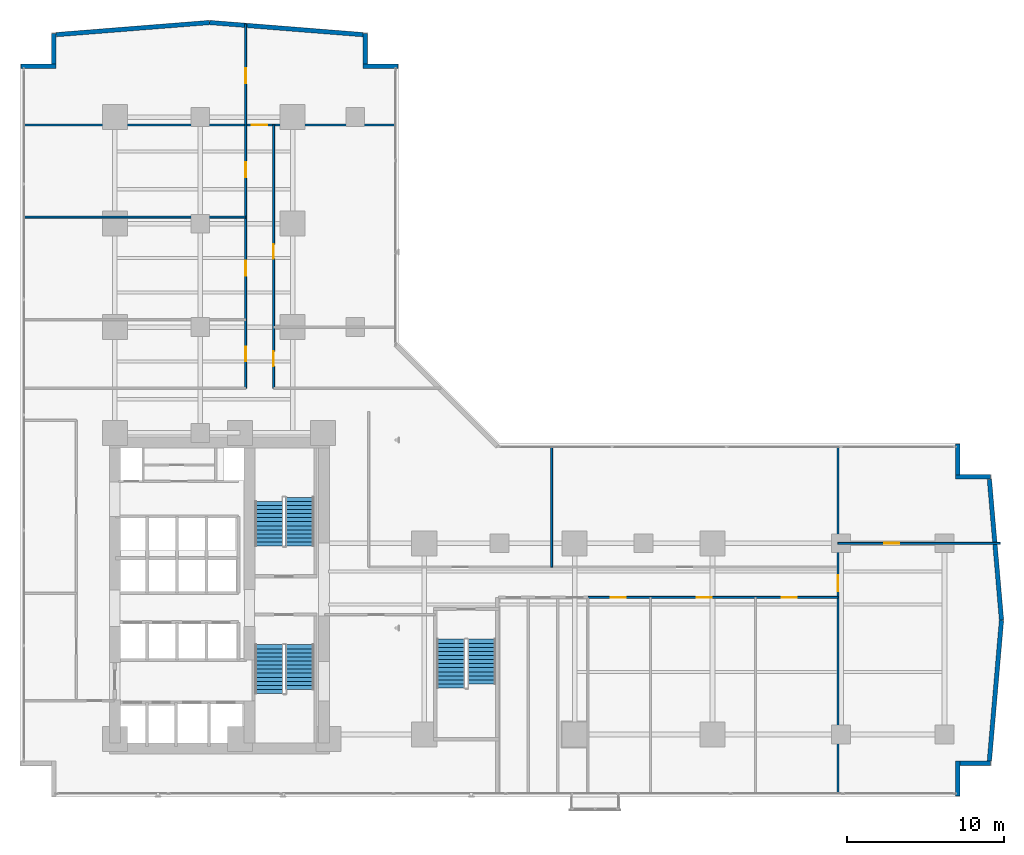
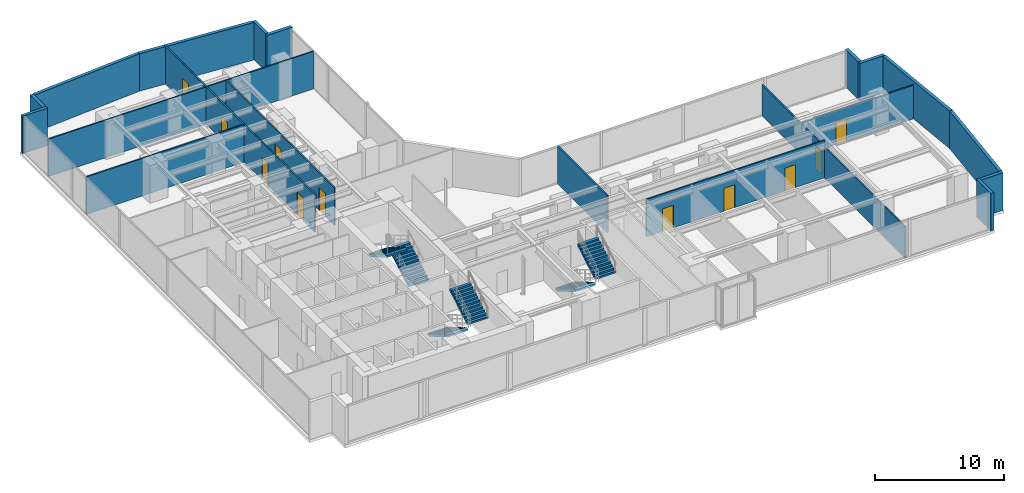
# One storey, part 24 of 28: 21 walls, 12 doors, 6 stair flights, 12 openings, 3 elements without a shape of their own.
"""IFC4 building model written with IfcOpenShell, lengths in metres."""

from ifc_helpers import new_model, si_unit, direction, frame, frame_2d, origin, place, context, subcontext, project, spatial, polyline, rectangle, outline, extrude, material, layer, layer_set, type_object, element, fill, aggregate, save


model = new_model("IFC4")

# Units and contexts
model_context = context("Model", 3, precision=1e-05, world=origin(), true_north=direction((0.0, 1.0)))
body_context = subcontext(model_context, "Body", "Model", "MODEL_VIEW")
ifc_project = project(units=[si_unit("LENGTHUNIT", "METRE"), si_unit("AREAUNIT", "SQUARE_METRE"), si_unit("VOLUMEUNIT", "CUBIC_METRE"), si_unit("PLANEANGLEUNIT", "RADIAN"), si_unit("MASSUNIT", "GRAM", prefix="KILO")], contexts=[model_context])

# Site, building, storey
site_placement = place(None, origin())
site = spatial("IfcSite", under=ifc_project, at=site_placement, CompositionType="ELEMENT")
building_placement = place(site_placement, origin())
building = spatial("IfcBuilding", under=site, at=building_placement, Name="Kolvaren Waterfront Exchange", CompositionType="ELEMENT")
storey_placement = place(building_placement, frame((0.0, 0.0, 56.199951171875)))
storey = spatial("IfcBuildingStorey", under=building, at=storey_placement, Name="L14", CompositionType="ELEMENT", Elevation=56.199951171875)

# Walls
ifc_material_1 = material(Name="Precast concrete C40/50", Category="concrete")
ifc_layer_1 = layer(ifc_material_1, 0.280029296875, Name="Precast concrete C40/50")
ifc_layer_set_1 = layer_set([ifc_layer_1], Name="Precast concrete C40/50")
wall_type_1 = type_object("IfcWallType", Name="ARC-EXT-TERR-280", PredefinedType="SOLIDWALL", material=ifc_layer_set_1)
wall_1_placement = place(storey_placement, frame((61.239990234375, 1.260009765625, 0.0), z_axis=(0.0, 0.0, 1.0), x_axis=(0.0, 1.0, 0.0)))
element("IfcWall", 1, at=wall_1_placement, inside=storey, type_object=wall_type_1, Name="L14 notched corner spandrel pier SE-A", PredefinedType="SOLIDWALL", context=body_context, shape_type="SweptSolid", body=[
    extrude(rectangle(XDim=2.239990234375, YDim=0.280029296875, at=frame_2d((1.1201171875, 0.0))), origin(), (0.0, 0.0, 1.0), 3.5400390625),
])
wall_2_placement = place(storey_placement, frame((61.3798828125, 3.360107421875, 0.0), z_axis=(0.0, 0.0, 1.0), x_axis=(1.0, 0.0, 0.0)))
element("IfcWall", 2, at=wall_2_placement, inside=storey, type_object=wall_type_1, Name="L14 notched corner spandrel pier SE-B", PredefinedType="SOLIDWALL", context=body_context, shape_type="SweptSolid", body=[
    extrude(rectangle(XDim=1.960205078125, YDim=0.280029296875, at=frame_2d((0.97998046875, 0.0))), origin(), (0.0, 0.0, 1.0), 3.5400390625),
])
wall_3_placement = place(storey_placement, frame((61.239990234375, 21.764892578125, 0.0), z_axis=(0.0, 0.0, 1.0), x_axis=(0.0, 1.0, 0.0)))
element("IfcWall", 3, at=wall_3_placement, inside=storey, type_object=wall_type_1, Name="L14 notched corner spandrel pier ENE-A", PredefinedType="SOLIDWALL", context=body_context, shape_type="SweptSolid", body=[
    extrude(rectangle(XDim=1.97509765625, YDim=0.280029296875, at=frame_2d((0.987548828125, 0.0))), origin(), (0.0, 0.0, 1.0), 3.5400390625),
])
for number, where, z_axis, x_axis, name in (
    (4, (61.10009765625, 21.639892578125, 0.0), (0.0, 0.0, 1.0), (1.0, 0.0, 0.0), "L14 notched corner spandrel pier ENE-B"),
    (5, (23.300048828125, 47.840087890625, 0.0), (0.0, 0.0, 1.0), (1.0, 0.0, 0.0), "L14 notched corner spandrel pier NNE-A"),
):
    element("IfcWall", number, at=place(storey_placement, frame(where, z_axis=z_axis, x_axis=x_axis)), inside=storey, type_object=wall_type_1, Name=name, PredefinedType="SOLIDWALL", context=body_context, shape_type="SweptSolid", body=[
        extrude(rectangle(XDim=2.239990234375, YDim=0.280029296875, at=frame_2d((1.1201171875, 0.0))), origin(), (0.0, 0.0, 1.0), 3.5400390625),
    ])
wall_4_placement = place(storey_placement, frame((23.43994140625, 47.97998046875, 0.0), z_axis=(0.0, 0.0, 1.0), x_axis=(0.0, 1.0, 0.0)))
element("IfcWall", 6, at=wall_4_placement, inside=storey, type_object=wall_type_1, Name="L14 notched corner spandrel pier NNE-B", PredefinedType="SOLIDWALL", context=body_context, shape_type="SweptSolid", body=[
    extrude(rectangle(XDim=1.9599609375, YDim=0.280029296875, at=frame_2d((0.97998046875, 0.0))), origin(), (0.0, 0.0, 1.0), 3.5400390625),
])
wall_5_placement = place(storey_placement, frame((1.4599609375, 47.840087890625, 0.0), z_axis=(0.0, 0.0, 1.0), x_axis=(1.0, 0.0, 0.0)))
element("IfcWall", 7, at=wall_5_placement, inside=storey, type_object=wall_type_1, Name="L14 notched corner spandrel pier NW-A", PredefinedType="SOLIDWALL", context=body_context, shape_type="SweptSolid", body=[
    extrude(rectangle(XDim=2.239990234375, YDim=0.280029296875, at=frame_2d((1.1201171875, 0.0))), origin(), (0.0, 0.0, 1.0), 3.5400390625),
])
wall_6_placement = place(storey_placement, frame((3.56005859375, 47.97998046875, 0.0), z_axis=(0.0, 0.0, 1.0), x_axis=(0.0, 1.0, 0.0)))
element("IfcWall", 8, at=wall_6_placement, inside=storey, type_object=wall_type_1, Name="L14 notched corner spandrel pier NW-B", PredefinedType="SOLIDWALL", context=body_context, shape_type="SweptSolid", body=[
    extrude(rectangle(XDim=1.9599609375, YDim=0.280029296875, at=frame_2d((0.97998046875, 0.0))), origin(), (0.0, 0.0, 1.0), 3.5400390625),
])
for number, where, z_axis, x_axis, name in (
    (9, (63.266357421875, 3.5126953125, 0.0), (0.0, 0.0, 1.0), (0.085692274626, 0.996321651912, 0.0), "L14 east prow faceted facade wall 1"),
    (10, (64.038818359375, 12.506103515625, 0.0), (0.0, 0.0, 1.0), (-0.085692274626, 0.996321651912, 0.0), "L14 east prow faceted facade wall 2"),
):
    element("IfcWall", number, at=place(storey_placement, frame(where, z_axis=z_axis, x_axis=x_axis)), inside=storey, type_object=wall_type_1, Name=name, PredefinedType="SOLIDWALL", context=body_context, shape_type="SweptSolid", body=[
        extrude(rectangle(XDim=9.014404296875, YDim=0.280029296875, at=frame_2d((4.50732421875, 0.0))), origin(), (0.0, 0.0, 1.0), 3.5400390625),
    ])
for number, where, z_axis, x_axis, name in (
    (11, (23.288330078125, 49.8642578125, 0.0), (0.0, 0.0, 1.0), (-0.996878337682, 0.078953023125, 0.0), "L14 north prow faceted facade wall 1"),
    (12, (13.49267578125, 50.638916015625, 0.0), (0.0, 0.0, 1.0), (-0.996878337682, -0.078953023125, 0.0), "L14 north prow faceted facade wall 2"),
):
    element("IfcWall", number, at=place(storey_placement, frame(where, z_axis=z_axis, x_axis=x_axis)), inside=storey, type_object=wall_type_1, Name=name, PredefinedType="SOLIDWALL", context=body_context, shape_type="SweptSolid", body=[
        extrude(rectangle(XDim=9.8115234375, YDim=0.280029296875, at=frame_2d((4.90576171875, 0.0))), origin(), (0.0, 0.0, 1.0), 3.5400390625),
    ])

# Wall, openings, doors
ifc_material_2 = material(Name="Acoustic gypsum steel stud", Category="steel")
ifc_layer_2 = layer(ifc_material_2, 0.125, Name="Acoustic gypsum steel stud")
ifc_layer_set_2 = layer_set([ifc_layer_2], Name="Acoustic gypsum steel stud")
wall_type_2 = type_object("IfcWallType", Name="ARC-PART-125", PredefinedType="PARTITIONING", material=ifc_layer_set_2)
wall_7_placement = place(storey_placement, frame((37.64990234375, 13.949951171875, 0.0), z_axis=(0.0, 0.0, 1.0), x_axis=(1.0, 0.0, 0.0)))
wall_7 = element("IfcWall", 13, at=wall_7_placement, inside=storey, type_object=wall_type_2, Name="L14 interior wall PW-L14-ES-CORR", PredefinedType="PARTITIONING", context=body_context, shape_type="SweptSolid", body=[
    extrude(rectangle(XDim=15.9501953125, YDim=0.125, at=frame_2d((7.97509765625, 0.0))), origin(), (0.0, 0.0, 1.0), 3.5400390625),
])
opening_1_placement = place(wall_7_placement, frame((1.4453125, 0.0, 0.0)))
opening_1 = element("IfcOpeningElement", 14, at=opening_1_placement, cuts=wall_7, Name="Opening D02", PredefinedType="OPENING", context=body_context, shape_type="SweptSolid", body=[
    extrude(rectangle(XDim=0.949951171875, YDim=2.14990234375, at=frame_2d((0.47509765625, 1.074951171875))), frame((0.0, 0.072509765625, 0.0), z_axis=(0.0, -1.0, 0.0), x_axis=(1.0, 0.0, 0.0)), (0.0, 0.0, 1.0), 0.14501953125),
])
opening_2_placement = place(wall_7_placement, frame((6.935791015625, 0.0, 0.0)))
opening_2 = element("IfcOpeningElement", 15, at=opening_2_placement, cuts=wall_7, Name="Opening D02", PredefinedType="OPENING", context=body_context, shape_type="SweptSolid", body=[
    extrude(rectangle(XDim=0.949951171875, YDim=2.14990234375, at=frame_2d((0.47509765625, 1.074951171875))), frame((0.0, 0.072509765625, 0.0), z_axis=(0.0, -1.0, 0.0), x_axis=(1.0, 0.0, 0.0)), (0.0, 0.0, 1.0), 0.14501953125),
])
opening_3_placement = place(wall_7_placement, frame((12.3701171875, 0.0, 0.0)))
opening_3 = element("IfcOpeningElement", 16, at=opening_3_placement, cuts=wall_7, Name="Opening D02", PredefinedType="OPENING", context=body_context, shape_type="SweptSolid", body=[
    extrude(rectangle(XDim=0.949951171875, YDim=2.14990234375, at=frame_2d((0.47509765625, 1.074951171875))), frame((0.0, 0.072509765625, 0.0), z_axis=(0.0, -1.0, 0.0), x_axis=(1.0, 0.0, 0.0)), (0.0, 0.0, 1.0), 0.14501953125),
])
ifc_material_3 = material(Name="Oak veneer acoustic timber", Category="wood")
door_type_1 = type_object("IfcDoorType", Name="ARC-DR-950", OperationType="NOTDEFINED", PredefinedType="DOOR", material=ifc_material_3)
door_1_placement = place(opening_1_placement, origin())
door_1 = element("IfcDoor", 17, at=door_1_placement, inside=storey, type_object=door_type_1, Name="L14 door DR-L14-ES-D-1 (D02)", OperationType="SINGLE_SWING_LEFT", OverallHeight=2.14990234375, OverallWidth=0.949951171875, PredefinedType="DOOR", context=body_context, shape_type="SweptSolid", body=[
    extrude(rectangle(XDim=0.949951171875, YDim=2.14990234375, at=frame_2d((0.47509765625, 1.074951171875))), frame((0.0, 0.02490234375, 0.0), z_axis=(0.0, -1.0, 0.0), x_axis=(1.0, 0.0, 0.0)), (0.0, 0.0, 1.0), 0.050048828125),
])
fill(opening_1, door_1)
door_2_placement = place(opening_2_placement, origin())
door_2 = element("IfcDoor", 18, at=door_2_placement, inside=storey, type_object=door_type_1, Name="L14 door DR-L14-ES-D-2 (D02)", OperationType="SINGLE_SWING_RIGHT", OverallHeight=2.14990234375, OverallWidth=0.949951171875, PredefinedType="DOOR", context=body_context, shape_type="SweptSolid", body=[
    extrude(rectangle(XDim=0.949951171875, YDim=2.14990234375, at=frame_2d((0.47509765625, 1.074951171875))), frame((0.0, 0.02490234375, 0.0), z_axis=(0.0, -1.0, 0.0), x_axis=(1.0, 0.0, 0.0)), (0.0, 0.0, 1.0), 0.050048828125),
])
fill(opening_2, door_2)
door_3_placement = place(opening_3_placement, origin())
door_3 = element("IfcDoor", 19, at=door_3_placement, inside=storey, type_object=door_type_1, Name="L14 door DR-L14-ES-D-3 (D02)", OperationType="SINGLE_SWING_LEFT", OverallHeight=2.14990234375, OverallWidth=0.949951171875, PredefinedType="DOOR", context=body_context, shape_type="SweptSolid", body=[
    extrude(rectangle(XDim=0.949951171875, YDim=2.14990234375, at=frame_2d((0.47509765625, 1.074951171875))), frame((0.0, 0.02490234375, 0.0), z_axis=(0.0, -1.0, 0.0), x_axis=(1.0, 0.0, 0.0)), (0.0, 0.0, 1.0), 0.050048828125),
])
fill(opening_3, door_3)

# Wall, opening, door
wall_8_placement = place(storey_placement, frame((53.60009765625, 1.43994140625, 0.0), z_axis=(0.0, 0.0, 1.0), x_axis=(0.0, 1.0, 0.0)))
wall_8 = element("IfcWall", 20, at=wall_8_placement, inside=storey, type_object=wall_type_2, Name="L14 interior wall PW-L14-ETIP-W", PredefinedType="PARTITIONING", context=body_context, shape_type="SweptSolid", body=[
    extrude(rectangle(XDim=22.1201171875, YDim=0.125, at=frame_2d((11.06005859375, 0.0))), origin(), (0.0, 0.0, 1.0), 2.93994140625),
])
opening_4_placement = place(wall_8_placement, frame((12.909912109375, 0.0, 0.0)))
opening_4 = element("IfcOpeningElement", 21, at=opening_4_placement, cuts=wall_8, Name="Opening D03", PredefinedType="OPENING", context=body_context, shape_type="SweptSolid", body=[
    extrude(rectangle(XDim=1.0, YDim=2.199951171875, at=frame_2d((0.5, 1.10009765625))), frame((0.0, 0.072509765625, 0.0), z_axis=(0.0, -1.0, 0.0), x_axis=(1.0, 0.0, 0.0)), (0.0, 0.0, 1.0), 0.14501953125),
])
ifc_material_4 = material(Name="Oak veneer accessible timber", Category="wood")
door_type_2 = type_object("IfcDoorType", Name="ARC-DR-1000", OperationType="NOTDEFINED", PredefinedType="DOOR", material=ifc_material_4)
door_4_placement = place(opening_4_placement, origin())
door_4 = element("IfcDoor", 22, at=door_4_placement, inside=storey, type_object=door_type_2, Name="L14 door DR-L14-ETIP1-D (D03)", OperationType="SINGLE_SWING_RIGHT", OverallHeight=2.199951171875, OverallWidth=1.0, PredefinedType="DOOR", context=body_context, shape_type="SweptSolid", body=[
    extrude(rectangle(XDim=1.0, YDim=2.199951171875, at=frame_2d((0.5, 1.10009765625))), frame((0.0, 0.02490234375, 0.0), z_axis=(0.0, -1.0, 0.0), x_axis=(1.0, 0.0, 0.0)), (0.0, 0.0, 1.0), 0.050048828125),
])
fill(opening_4, door_4)

wall_9_placement = place(storey_placement, frame((53.60009765625, 17.39990234375, 0.0), z_axis=(0.0, 0.0, 1.0), x_axis=(1.0, 0.0, 0.0)))
wall_9 = element("IfcWall", 23, at=wall_9_placement, inside=storey, type_object=wall_type_2, Name="L14 interior wall PW-L14-ETIP-MID", PredefinedType="PARTITIONING", context=body_context, shape_type="SweptSolid", body=[
    extrude(rectangle(XDim=10.35986328125, YDim=0.125, at=frame_2d((5.179931640625, 0.0))), origin(), (0.0, 0.0, 1.0), 3.179931640625),
])
opening_5_placement = place(wall_9_placement, frame((2.949951171875, 0.0, 0.0)))
opening_5 = element("IfcOpeningElement", 24, at=opening_5_placement, cuts=wall_9, Name="Opening D02", PredefinedType="OPENING", context=body_context, shape_type="SweptSolid", body=[
    extrude(rectangle(XDim=0.949951171875, YDim=2.14990234375, at=frame_2d((0.47509765625, 1.074951171875))), frame((0.0, 0.072509765625, 0.0), z_axis=(0.0, -1.0, 0.0), x_axis=(1.0, 0.0, 0.0)), (0.0, 0.0, 1.0), 0.14501953125),
])
door_5_placement = place(opening_5_placement, origin())
door_5 = element("IfcDoor", 25, at=door_5_placement, inside=storey, type_object=door_type_1, Name="L14 door DR-L14-ETIP2-D (D02)", OperationType="SINGLE_SWING_LEFT", OverallHeight=2.14990234375, OverallWidth=0.949951171875, PredefinedType="DOOR", context=body_context, shape_type="SweptSolid", body=[
    extrude(rectangle(XDim=0.949951171875, YDim=2.14990234375, at=frame_2d((0.47509765625, 1.074951171875))), frame((0.0, 0.02490234375, 0.0), z_axis=(0.0, -1.0, 0.0), x_axis=(1.0, 0.0, 0.0)), (0.0, 0.0, 1.0), 0.050048828125),
])
fill(opening_5, door_5)

# Wall
wall_10_placement = place(storey_placement, frame((35.330078125, 15.889892578125, 0.0), z_axis=(0.0, 0.0, 1.0), x_axis=(0.0, 1.0, 0.0)))
element("IfcWall", 26, at=wall_10_placement, inside=storey, type_object=wall_type_2, Name="L14 interior wall PW-L14-EN-DIV-1", PredefinedType="PARTITIONING", context=body_context, shape_type="SweptSolid", body=[
    extrude(rectangle(XDim=7.670166015625, YDim=0.125, at=frame_2d((3.8349609375, 0.0))), origin(), (0.0, 0.0, 1.0), 3.5400390625),
])

# Wall, openings, doors
wall_11_placement = place(storey_placement, frame((15.800048828125, 27.300048828125, 0.0), z_axis=(0.0, 0.0, 1.0), x_axis=(0.0, 1.0, 0.0)))
wall_11 = element("IfcWall", 27, at=wall_11_placement, inside=storey, type_object=wall_type_2, Name="L14 interior wall PW-L14-NW-CORR", PredefinedType="PARTITIONING", context=body_context, shape_type="SweptSolid", body=[
    extrude(rectangle(XDim=16.800048828125, YDim=0.125, at=frame_2d((8.39990234375, 0.0))), origin(), (0.0, 0.0, 1.0), 3.5400390625),
])
opening_6_placement = place(wall_11_placement, frame((1.7099609375, 0.0, 0.0)))
opening_6 = element("IfcOpeningElement", 28, at=opening_6_placement, cuts=wall_11, Name="Opening D02", PredefinedType="OPENING", context=body_context, shape_type="SweptSolid", body=[
    extrude(rectangle(XDim=0.949951171875, YDim=2.14990234375, at=frame_2d((0.47509765625, 1.074951171875))), frame((0.0, 0.072509765625, 0.0), z_axis=(0.0, -1.0, 0.0), x_axis=(1.0, 0.0, 0.0)), (0.0, 0.0, 1.0), 0.14501953125),
])
opening_7_placement = place(wall_11_placement, frame((7.169921875, 0.0, 0.0)))
opening_7 = element("IfcOpeningElement", 29, at=opening_7_placement, cuts=wall_11, Name="Opening D02", PredefinedType="OPENING", context=body_context, shape_type="SweptSolid", body=[
    extrude(rectangle(XDim=0.949951171875, YDim=2.14990234375, at=frame_2d((0.47509765625, 1.074951171875))), frame((0.0, 0.072509765625, 0.0), z_axis=(0.0, -1.0, 0.0), x_axis=(1.0, 0.0, 0.0)), (0.0, 0.0, 1.0), 0.14501953125),
])
opening_8_placement = place(wall_11_placement, frame((13.456298828125, 0.0, 0.0)))
opening_8 = element("IfcOpeningElement", 30, at=opening_8_placement, cuts=wall_11, Name="Opening D02", PredefinedType="OPENING", context=body_context, shape_type="SweptSolid", body=[
    extrude(rectangle(XDim=0.949951171875, YDim=2.14990234375, at=frame_2d((0.47509765625, 1.074951171875))), frame((0.0, 0.072509765625, 0.0), z_axis=(0.0, -1.0, 0.0), x_axis=(1.0, 0.0, 0.0)), (0.0, 0.0, 1.0), 0.14501953125),
])
door_6_placement = place(opening_6_placement, origin())
door_6 = element("IfcDoor", 31, at=door_6_placement, inside=storey, type_object=door_type_1, Name="L14 door DR-L14-NW-D-1 (D02)", OperationType="SINGLE_SWING_RIGHT", OverallHeight=2.14990234375, OverallWidth=0.949951171875, PredefinedType="DOOR", context=body_context, shape_type="SweptSolid", body=[
    extrude(rectangle(XDim=0.949951171875, YDim=2.14990234375, at=frame_2d((0.47509765625, 1.074951171875))), frame((0.0, 0.02490234375, 0.0), z_axis=(0.0, -1.0, 0.0), x_axis=(1.0, 0.0, 0.0)), (0.0, 0.0, 1.0), 0.050048828125),
])
fill(opening_6, door_6)
door_7_placement = place(opening_7_placement, origin())
door_7 = element("IfcDoor", 32, at=door_7_placement, inside=storey, type_object=door_type_1, Name="L14 door DR-L14-NW-D-2 (D02)", OperationType="SINGLE_SWING_LEFT", OverallHeight=2.14990234375, OverallWidth=0.949951171875, PredefinedType="DOOR", context=body_context, shape_type="SweptSolid", body=[
    extrude(rectangle(XDim=0.949951171875, YDim=2.14990234375, at=frame_2d((0.47509765625, 1.074951171875))), frame((0.0, 0.02490234375, 0.0), z_axis=(0.0, -1.0, 0.0), x_axis=(1.0, 0.0, 0.0)), (0.0, 0.0, 1.0), 0.050048828125),
])
fill(opening_7, door_7)
door_8_placement = place(opening_8_placement, origin())
door_8 = element("IfcDoor", 33, at=door_8_placement, inside=storey, type_object=door_type_1, Name="L14 door DR-L14-NW-D-3 (D02)", OperationType="SINGLE_SWING_RIGHT", OverallHeight=2.14990234375, OverallWidth=0.949951171875, PredefinedType="DOOR", context=body_context, shape_type="SweptSolid", body=[
    extrude(rectangle(XDim=0.949951171875, YDim=2.14990234375, at=frame_2d((0.47509765625, 1.074951171875))), frame((0.0, 0.02490234375, 0.0), z_axis=(0.0, -1.0, 0.0), x_axis=(1.0, 0.0, 0.0)), (0.0, 0.0, 1.0), 0.050048828125),
])
fill(opening_8, door_8)

# Wall
wall_12_placement = place(storey_placement, frame((1.639892578125, 38.219970703125, 0.0), z_axis=(0.0, 0.0, 1.0), x_axis=(1.0, 0.0, 0.0)))
element("IfcWall", 34, at=wall_12_placement, inside=storey, type_object=wall_type_2, Name="L14 interior wall PW-L14-NW-DIV-2", PredefinedType="PARTITIONING", context=body_context, shape_type="SweptSolid", body=[
    extrude(rectangle(XDim=14.16015625, YDim=0.125, at=frame_2d((7.080078125, 0.0))), origin(), (0.0, 0.0, 1.0), 3.5400390625),
])

# Wall, opening, door
wall_13_placement = place(storey_placement, frame((1.639892578125, 44.10009765625, 0.0), z_axis=(0.0, 0.0, 1.0), x_axis=(1.0, 0.0, 0.0)))
wall_13 = element("IfcWall", 35, at=wall_13_placement, inside=storey, type_object=wall_type_2, Name="L14 interior wall PW-L14-NTIP-S", PredefinedType="PARTITIONING", context=body_context, shape_type="SweptSolid", body=[
    extrude(rectangle(XDim=23.72021484375, YDim=0.125, at=frame_2d((11.860107421875, 0.0))), origin(), (0.0, 0.0, 1.0), 3.5400390625),
])
opening_9_placement = place(wall_13_placement, frame((14.550048828125, 0.0, 0.0)))
opening_9 = element("IfcOpeningElement", 36, at=opening_9_placement, cuts=wall_13, Name="Opening D03", PredefinedType="OPENING", context=body_context, shape_type="SweptSolid", body=[
    extrude(rectangle(XDim=1.0, YDim=2.199951171875, at=frame_2d((0.5, 1.10009765625))), frame((0.0, 0.072509765625, 0.0), z_axis=(0.0, -1.0, 0.0), x_axis=(1.0, 0.0, 0.0)), (0.0, 0.0, 1.0), 0.14501953125),
])
door_9_placement = place(opening_9_placement, origin())
door_9 = element("IfcDoor", 37, at=door_9_placement, inside=storey, type_object=door_type_2, Name="L14 door DR-L14-NTIPE-D (D03)", OperationType="SINGLE_SWING_LEFT", OverallHeight=2.199951171875, OverallWidth=1.0, PredefinedType="DOOR", context=body_context, shape_type="SweptSolid", body=[
    extrude(rectangle(XDim=1.0, YDim=2.199951171875, at=frame_2d((0.5, 1.10009765625))), frame((0.0, 0.02490234375, 0.0), z_axis=(0.0, -1.0, 0.0), x_axis=(1.0, 0.0, 0.0)), (0.0, 0.0, 1.0), 0.050048828125),
])
fill(opening_9, door_9)

wall_14_placement = place(storey_placement, frame((15.800048828125, 44.10009765625, 0.0), z_axis=(0.0, 0.0, 1.0), x_axis=(0.0, 1.0, 0.0)))
wall_14 = element("IfcWall", 38, at=wall_14_placement, inside=storey, type_object=wall_type_2, Name="L14 interior wall PW-L14-NTIP-DIV", PredefinedType="PARTITIONING", context=body_context, shape_type="SweptSolid", body=[
    extrude(rectangle(XDim=6.4599609375, YDim=0.125, at=frame_2d((3.22998046875, 0.0))), origin(), (0.0, 0.0, 1.0), 3.5400390625),
])
opening_10_placement = place(wall_14_placement, frame((2.677490234375, 0.0, 0.0)))
opening_10 = element("IfcOpeningElement", 39, at=opening_10_placement, cuts=wall_14, Name="Opening D02", PredefinedType="OPENING", context=body_context, shape_type="SweptSolid", body=[
    extrude(rectangle(XDim=0.949951171875, YDim=2.14990234375, at=frame_2d((0.47509765625, 1.074951171875))), frame((0.0, 0.072509765625, 0.0), z_axis=(0.0, -1.0, 0.0), x_axis=(1.0, 0.0, 0.0)), (0.0, 0.0, 1.0), 0.14501953125),
])
door_10_placement = place(opening_10_placement, origin())
door_10 = element("IfcDoor", 40, at=door_10_placement, inside=storey, type_object=door_type_1, Name="L14 door DR-L14-NTIPW-D (D02)", OperationType="SINGLE_SWING_RIGHT", OverallHeight=2.14990234375, OverallWidth=0.949951171875, PredefinedType="DOOR", context=body_context, shape_type="SweptSolid", body=[
    extrude(rectangle(XDim=0.949951171875, YDim=2.14990234375, at=frame_2d((0.47509765625, 1.074951171875))), frame((0.0, 0.02490234375, 0.0), z_axis=(0.0, -1.0, 0.0), x_axis=(1.0, 0.0, 0.0)), (0.0, 0.0, 1.0), 0.050048828125),
])
fill(opening_10, door_10)

# Wall, openings, doors
wall_15_placement = place(storey_placement, frame((17.580078125, 27.300048828125, 0.0), z_axis=(0.0, 0.0, 1.0), x_axis=(0.0, 1.0, 0.0)))
wall_15 = element("IfcWall", 41, at=wall_15_placement, inside=storey, type_object=wall_type_2, Name="L14 interior wall PW-L14-NE-CORR", PredefinedType="PARTITIONING", context=body_context, shape_type="SweptSolid", body=[
    extrude(rectangle(XDim=16.800048828125, YDim=0.125, at=frame_2d((8.39990234375, 0.0))), origin(), (0.0, 0.0, 1.0), 3.5400390625),
])
opening_11_placement = place(wall_15_placement, frame((1.4033203125, 0.0, 0.0)))
opening_11 = element("IfcOpeningElement", 42, at=opening_11_placement, cuts=wall_15, Name="Opening D02", PredefinedType="OPENING", context=body_context, shape_type="SweptSolid", body=[
    extrude(rectangle(XDim=0.949951171875, YDim=2.14990234375, at=frame_2d((0.47509765625, 1.074951171875))), frame((0.0, 0.072509765625, 0.0), z_axis=(0.0, -1.0, 0.0), x_axis=(1.0, 0.0, 0.0)), (0.0, 0.0, 1.0), 0.14501953125),
])
opening_12_placement = place(wall_15_placement, frame((8.251953125, 0.0, 0.0)))
opening_12 = element("IfcOpeningElement", 43, at=opening_12_placement, cuts=wall_15, Name="Opening D02", PredefinedType="OPENING", context=body_context, shape_type="SweptSolid", body=[
    extrude(rectangle(XDim=0.949951171875, YDim=2.14990234375, at=frame_2d((0.47509765625, 1.074951171875))), frame((0.0, 0.072509765625, 0.0), z_axis=(0.0, -1.0, 0.0), x_axis=(1.0, 0.0, 0.0)), (0.0, 0.0, 1.0), 0.14501953125),
])
door_11_placement = place(opening_11_placement, origin())
door_11 = element("IfcDoor", 44, at=door_11_placement, inside=storey, type_object=door_type_1, Name="L14 door DR-L14-NE-D-1 (D02)", OperationType="SINGLE_SWING_LEFT", OverallHeight=2.14990234375, OverallWidth=0.949951171875, PredefinedType="DOOR", context=body_context, shape_type="SweptSolid", body=[
    extrude(rectangle(XDim=0.949951171875, YDim=2.14990234375, at=frame_2d((0.47509765625, 1.074951171875))), frame((0.0, 0.02490234375, 0.0), z_axis=(0.0, -1.0, 0.0), x_axis=(1.0, 0.0, 0.0)), (0.0, 0.0, 1.0), 0.050048828125),
])
fill(opening_11, door_11)
door_12_placement = place(opening_12_placement, origin())
door_12 = element("IfcDoor", 45, at=door_12_placement, inside=storey, type_object=door_type_1, Name="L14 door DR-L14-NE-D-2 (D02)", OperationType="SINGLE_SWING_RIGHT", OverallHeight=2.14990234375, OverallWidth=0.949951171875, PredefinedType="DOOR", context=body_context, shape_type="SweptSolid", body=[
    extrude(rectangle(XDim=0.949951171875, YDim=2.14990234375, at=frame_2d((0.47509765625, 1.074951171875))), frame((0.0, 0.02490234375, 0.0), z_axis=(0.0, -1.0, 0.0), x_axis=(1.0, 0.0, 0.0)), (0.0, 0.0, 1.0), 0.050048828125),
])
fill(opening_12, door_12)

# Stair, stair flights
ifc_material_5 = material(Name="Concrete C40/50", Category="concrete")
stair_type = type_object("IfcStairType", Name="ARC-STAIR-3800", PredefinedType="HALF_TURN_STAIR", material=ifc_material_5)
stair_1_placement = place(storey_placement, origin())
stair_1 = element("IfcStair", 46, at=stair_1_placement, inside=storey, type_object=stair_type, Name="L14 Smoke-proof exit stair ST1", PredefinedType="HALF_TURN_STAIR")
stair_flight_type = type_object("IfcStairFlightType", Name="ARC-FLIGHT-3800", PredefinedType="STRAIGHT", material=ifc_material_5)
stair_flight_1_placement = place(storey_placement, frame((17.300048828125, 10.929931640625, 0.0), z_axis=(0.0, 0.0, 1.0), x_axis=(0.0, -1.0, 0.0)))
stair_flight_1 = element("IfcStairFlight", 47, at=stair_flight_1_placement, type_object=stair_flight_type, Name="ST1 flight 1", NumberOfRisers=13, NumberOfTreads=12, PredefinedType="STRAIGHT", RiserHeight=0.152, TreadLength=0.26, context=body_context, shape_type="SweptSolid", body=[
    extrude(outline(polyline([(0.0, 0.0), (0.0, 0.152099609375), (0.260009765625, 0.152099609375), (0.260009765625, 0.303955078125), (0.52001953125, 0.303955078125), (0.52001953125, 0.4560546875), (0.780029296875, 0.4560546875), (0.780029296875, 0.60791015625), (1.0400390625, 0.60791015625), (1.0400390625, 0.760009765625), (1.300048828125, 0.760009765625), (1.300048828125, 0.912109375), (1.56005859375, 0.912109375), (1.56005859375, 1.06396484375), (1.820068359375, 1.06396484375), (1.820068359375, 1.216064453125), (2.080078125, 1.216064453125), (2.080078125, 1.367919921875), (2.340087890625, 1.367919921875), (2.340087890625, 1.52001953125), (2.60009765625, 1.52001953125), (2.60009765625, 1.672119140625), (2.860107421875, 1.672119140625), (2.860107421875, 1.823974609375), (3.1201171875, 1.823974609375), (3.1201171875, 1.97607421875), (3.1201171875, 1.650390625), (0.297119140625, 0.0), (0.0, 0.0)])), frame((0.0, 0.89990234375, 0.0), z_axis=(0.0, -1.0, 0.0), x_axis=(1.0, 0.0, 0.0)), (0.0, 0.0, 1.0), 1.800048828125),
])
stair_flight_2_placement = place(storey_placement, frame((19.260009765625, 8.070068359375, 1.97607421875), z_axis=(0.0, 0.0, 1.0), x_axis=(0.0, 1.0, 0.0)))
stair_flight_2 = element("IfcStairFlight", 48, at=stair_flight_2_placement, type_object=stair_flight_type, Name="ST1 flight 2", NumberOfRisers=12, NumberOfTreads=11, PredefinedType="STRAIGHT", RiserHeight=0.152, TreadLength=0.26, context=body_context, shape_type="SweptSolid", body=[
    extrude(outline(polyline([(0.0, 0.0), (0.0, 0.152099609375), (0.260009765625, 0.152099609375), (0.260009765625, 0.303955078125), (0.52001953125, 0.303955078125), (0.52001953125, 0.4560546875), (0.780029296875, 0.4560546875), (0.780029296875, 0.60791015625), (1.0400390625, 0.60791015625), (1.0400390625, 0.760009765625), (1.300048828125, 0.760009765625), (1.300048828125, 0.912109375), (1.56005859375, 0.912109375), (1.56005859375, 1.06396484375), (1.820068359375, 1.06396484375), (1.820068359375, 1.216064453125), (2.080078125, 1.216064453125), (2.080078125, 1.367919921875), (2.340087890625, 1.367919921875), (2.340087890625, 1.52001953125), (2.60009765625, 1.52001953125), (2.60009765625, 1.672119140625), (2.860107421875, 1.672119140625), (2.860107421875, 1.823974609375), (2.860107421875, 1.498291015625), (0.297119140625, 0.0), (0.0, 0.0)])), frame((0.0, 0.89990234375, 0.0), z_axis=(0.0, -1.0, 0.0), x_axis=(1.0, 0.0, 0.0)), (0.0, 0.0, 1.0), 1.800048828125),
])
aggregate(stair_1, [stair_flight_1, stair_flight_2])

stair_2_placement = place(storey_placement, origin())
stair_2 = element("IfcStair", 49, at=stair_2_placement, inside=storey, type_object=stair_type, Name="L14 Smoke-proof exit stair ST2", PredefinedType="HALF_TURN_STAIR")
stair_flight_3_placement = place(storey_placement, frame((19.260009765625, 17.219970703125, 0.0), z_axis=(0.0, 0.0, 1.0), x_axis=(0.0, 1.0, 0.0)))
stair_flight_3 = element("IfcStairFlight", 50, at=stair_flight_3_placement, type_object=stair_flight_type, Name="ST2 flight 1", NumberOfRisers=13, NumberOfTreads=12, PredefinedType="STRAIGHT", RiserHeight=0.152, TreadLength=0.26, context=body_context, shape_type="SweptSolid", body=[
    extrude(outline(polyline([(0.0, 0.0), (0.0, 0.152099609375), (0.260009765625, 0.152099609375), (0.260009765625, 0.303955078125), (0.52001953125, 0.303955078125), (0.52001953125, 0.4560546875), (0.780029296875, 0.4560546875), (0.780029296875, 0.60791015625), (1.0400390625, 0.60791015625), (1.0400390625, 0.760009765625), (1.300048828125, 0.760009765625), (1.300048828125, 0.912109375), (1.56005859375, 0.912109375), (1.56005859375, 1.06396484375), (1.820068359375, 1.06396484375), (1.820068359375, 1.216064453125), (2.080078125, 1.216064453125), (2.080078125, 1.367919921875), (2.340087890625, 1.367919921875), (2.340087890625, 1.52001953125), (2.60009765625, 1.52001953125), (2.60009765625, 1.672119140625), (2.860107421875, 1.672119140625), (2.860107421875, 1.823974609375), (3.1201171875, 1.823974609375), (3.1201171875, 1.97607421875), (3.1201171875, 1.650390625), (0.297119140625, 0.0), (0.0, 0.0)])), frame((0.0, 0.89990234375, 0.0), z_axis=(0.0, -1.0, 0.0), x_axis=(1.0, 0.0, 0.0)), (0.0, 0.0, 1.0), 1.800048828125),
])
stair_flight_4_placement = place(storey_placement, frame((17.300048828125, 20.080078125, 1.97607421875), z_axis=(0.0, 0.0, 1.0), x_axis=(0.0, -1.0, 0.0)))
stair_flight_4 = element("IfcStairFlight", 51, at=stair_flight_4_placement, type_object=stair_flight_type, Name="ST2 flight 2", NumberOfRisers=12, NumberOfTreads=11, PredefinedType="STRAIGHT", RiserHeight=0.152, TreadLength=0.26, context=body_context, shape_type="SweptSolid", body=[
    extrude(outline(polyline([(0.0, 0.0), (0.0, 0.152099609375), (0.260009765625, 0.152099609375), (0.260009765625, 0.303955078125), (0.52001953125, 0.303955078125), (0.52001953125, 0.4560546875), (0.780029296875, 0.4560546875), (0.780029296875, 0.60791015625), (1.0400390625, 0.60791015625), (1.0400390625, 0.760009765625), (1.300048828125, 0.760009765625), (1.300048828125, 0.912109375), (1.56005859375, 0.912109375), (1.56005859375, 1.06396484375), (1.820068359375, 1.06396484375), (1.820068359375, 1.216064453125), (2.080078125, 1.216064453125), (2.080078125, 1.367919921875), (2.340087890625, 1.367919921875), (2.340087890625, 1.52001953125), (2.60009765625, 1.52001953125), (2.60009765625, 1.672119140625), (2.860107421875, 1.672119140625), (2.860107421875, 1.823974609375), (2.860107421875, 1.498291015625), (0.297119140625, 0.0), (0.0, 0.0)])), frame((0.0, 0.89990234375, 0.0), z_axis=(0.0, -1.0, 0.0), x_axis=(1.0, 0.0, 0.0)), (0.0, 0.0, 1.0), 1.800048828125),
])
aggregate(stair_2, [stair_flight_3, stair_flight_4])

stair_3_placement = place(storey_placement, origin())
stair_3 = element("IfcStair", 52, at=stair_3_placement, inside=storey, type_object=stair_type, Name="L14 Exit stair ST3", PredefinedType="HALF_TURN_STAIR")
stair_flight_5_placement = place(storey_placement, frame((28.89990234375, 11.280029296875, 0.0), z_axis=(0.0, 0.0, 1.0), x_axis=(0.0, -1.0, 0.0)))
stair_flight_5 = element("IfcStairFlight", 53, at=stair_flight_5_placement, type_object=stair_flight_type, Name="ST3 flight 1", NumberOfRisers=13, NumberOfTreads=12, PredefinedType="STRAIGHT", RiserHeight=0.152, TreadLength=0.26, context=body_context, shape_type="SweptSolid", body=[
    extrude(outline(polyline([(0.0, 0.0), (0.0, 0.152099609375), (0.260009765625, 0.152099609375), (0.260009765625, 0.303955078125), (0.52001953125, 0.303955078125), (0.52001953125, 0.4560546875), (0.780029296875, 0.4560546875), (0.780029296875, 0.60791015625), (1.0400390625, 0.60791015625), (1.0400390625, 0.760009765625), (1.300048828125, 0.760009765625), (1.300048828125, 0.912109375), (1.56005859375, 0.912109375), (1.56005859375, 1.06396484375), (1.820068359375, 1.06396484375), (1.820068359375, 1.216064453125), (2.080078125, 1.216064453125), (2.080078125, 1.367919921875), (2.340087890625, 1.367919921875), (2.340087890625, 1.52001953125), (2.60009765625, 1.52001953125), (2.60009765625, 1.672119140625), (2.860107421875, 1.672119140625), (2.860107421875, 1.823974609375), (3.1201171875, 1.823974609375), (3.1201171875, 1.97607421875), (3.1201171875, 1.650390625), (0.297119140625, 0.0), (0.0, 0.0)])), frame((0.0, 0.89990234375, 0.0), z_axis=(0.0, -1.0, 0.0), x_axis=(1.0, 0.0, 0.0)), (0.0, 0.0, 1.0), 1.800048828125),
])
stair_flight_6_placement = place(storey_placement, frame((30.860107421875, 8.419921875, 1.97607421875), z_axis=(0.0, 0.0, 1.0), x_axis=(0.0, 1.0, 0.0)))
stair_flight_6 = element("IfcStairFlight", 54, at=stair_flight_6_placement, type_object=stair_flight_type, Name="ST3 flight 2", NumberOfRisers=12, NumberOfTreads=11, PredefinedType="STRAIGHT", RiserHeight=0.152, TreadLength=0.26, context=body_context, shape_type="SweptSolid", body=[
    extrude(outline(polyline([(0.0, 0.0), (0.0, 0.152099609375), (0.260009765625, 0.152099609375), (0.260009765625, 0.303955078125), (0.52001953125, 0.303955078125), (0.52001953125, 0.4560546875), (0.780029296875, 0.4560546875), (0.780029296875, 0.60791015625), (1.0400390625, 0.60791015625), (1.0400390625, 0.760009765625), (1.300048828125, 0.760009765625), (1.300048828125, 0.912109375), (1.56005859375, 0.912109375), (1.56005859375, 1.06396484375), (1.820068359375, 1.06396484375), (1.820068359375, 1.216064453125), (2.080078125, 1.216064453125), (2.080078125, 1.367919921875), (2.340087890625, 1.367919921875), (2.340087890625, 1.52001953125), (2.60009765625, 1.52001953125), (2.60009765625, 1.672119140625), (2.860107421875, 1.672119140625), (2.860107421875, 1.823974609375), (2.860107421875, 1.498291015625), (0.297119140625, 0.0), (0.0, 0.0)])), frame((0.0, 0.89990234375, 0.0), z_axis=(0.0, -1.0, 0.0), x_axis=(1.0, 0.0, 0.0)), (0.0, 0.0, 1.0), 1.800048828125),
])
aggregate(stair_3, [stair_flight_5, stair_flight_6])

save(model, "model.ifc")
